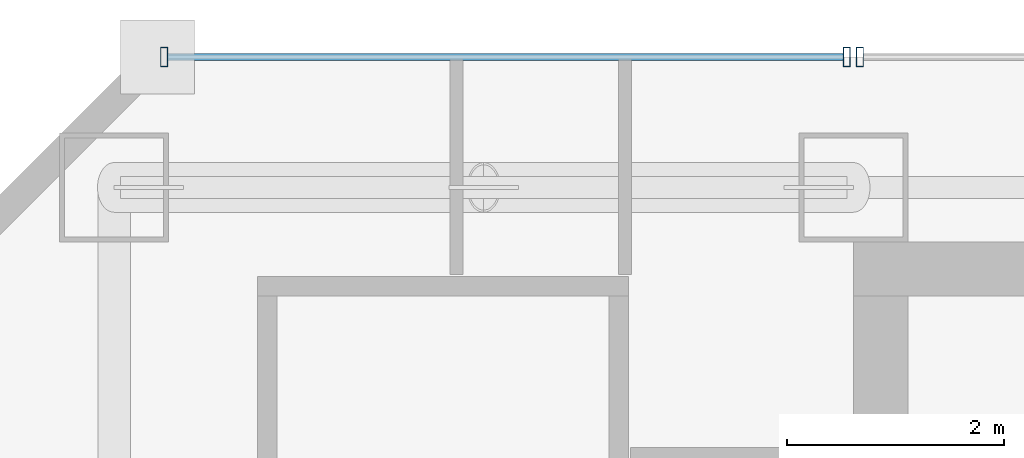
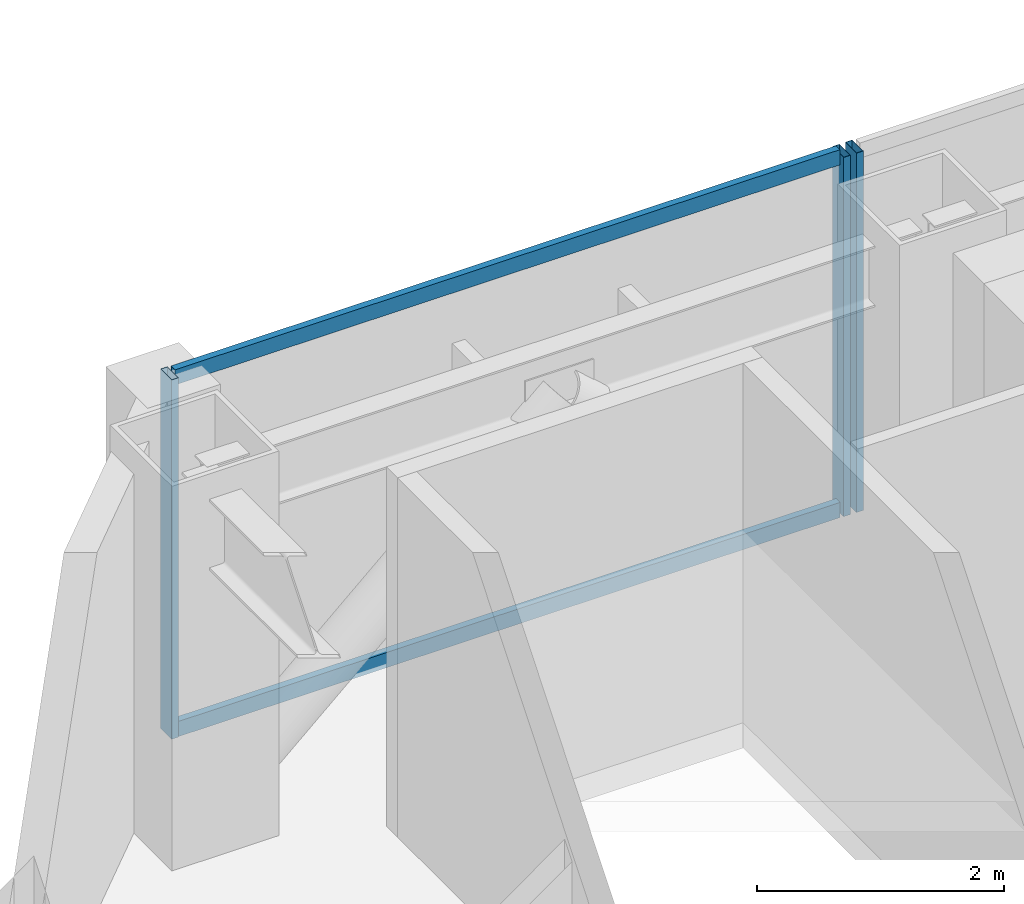
# One storey, part 22 of 37: 5 members, 2 elements without a shape of their own.
"""IFC4 building model written with IfcOpenShell, lengths in metres."""

import ifcopenshell
import ifcopenshell.guid

model = None  # the IFC model being written
_history = None  # IfcOwnerHistory: only IFC2X3 demands one
_inside = {}  # id of a spatial element -> (the spatial element, [elements in it])
_under = {}  # id of a project, library or spatial element -> (it, [spatial elements below it])
_declared = {}  # id of a project -> (the project, [libraries it declares])
_typed = {}  # id of a type object -> (the type object, [elements of that type])
_made_of = {}  # id of a material, layer set ... -> (it, [elements and type objects made of it])


def new_model(schema):
    """Start an empty IFC model of exactly this schema.

    Asked for "IFC4X3", IfcOpenShell would pick the latest addendum, in which some entities
    have other attributes; the version numbers below select the first issue.
    IFC2X3 requires an IfcOwnerHistory on every rooted entity: one is made here for all.
    """
    global model, _history
    if schema == "IFC4X3":
        model = ifcopenshell.file(schema_version=(4, 3, 0, 0))
    else:
        model = ifcopenshell.file(schema=schema)
    _inside.clear()
    _under.clear()
    _declared.clear()
    _typed.clear()
    _made_of.clear()
    _history = None
    if model.schema == "IFC2X3":
        org = make("IfcOrganization", Name="unknown")
        user = make(
            "IfcPersonAndOrganization",
            ThePerson=make("IfcPerson", FamilyName="unknown"),
            TheOrganization=org,
        )
        app = make(
            "IfcApplication",
            ApplicationDeveloper=org,
            Version="unknown",
            ApplicationFullName="unknown",
            ApplicationIdentifier="unknown",
        )
        _history = make(
            "IfcOwnerHistory",
            OwningUser=user,
            OwningApplication=app,
            ChangeAction="ADDED",
            CreationDate=0,
        )
    return model


def make(cls, **values):
    """One entity of the class cls with the attributes given. An attribute that is None is left unset."""
    return model.create_entity(
        cls, **{name: value for name, value in values.items() if value is not None}
    )


def rooted(cls, **values):
    """An entity with a GlobalId (a new one), such as an element, a storey or a relation."""
    return make(cls, GlobalId=ifcopenshell.guid.new(), OwnerHistory=_history, **values)


def si_unit(unit_type, name, prefix=None):
    """IfcSIUnit, for example si_unit("LENGTHUNIT", "METRE", prefix="MILLI")."""
    return make("IfcSIUnit", UnitType=unit_type, Prefix=prefix, Name=name)


def assignment(units):
    """IfcUnitAssignment: the units of a project."""
    return None if units is None else make("IfcUnitAssignment", Units=units)


def point(xyz):
    """IfcCartesianPoint."""
    return None if xyz is None else make("IfcCartesianPoint", Coordinates=xyz)


def direction(xyz):
    """IfcDirection."""
    return None if xyz is None else make("IfcDirection", DirectionRatios=xyz)


def frame(location, z_axis=None, x_axis=None):
    """IfcAxis2Placement3D, a coordinate frame: its origin and axes. An axis left out is left unset."""
    return make(
        "IfcAxis2Placement3D",
        Location=point(location),
        Axis=direction(z_axis),
        RefDirection=direction(x_axis),
    )


def frame_2d(location, x_axis=None):
    """IfcAxis2Placement2D, a coordinate frame in the plane: its origin and x axis."""
    return make(
        "IfcAxis2Placement2D", Location=point(location), RefDirection=direction(x_axis)
    )


def origin():
    """The frame at (0, 0, 0) with its axes left unset."""
    return frame((0.0, 0.0, 0.0))


def origin_2d():
    """The frame at (0, 0) in the plane with its x axis left unset."""
    return frame_2d((0.0, 0.0))


def place(relative_to, where):
    """IfcLocalPlacement: puts the frame where relative to a parent placement (None: the world)."""
    return make(
        "IfcLocalPlacement", PlacementRelTo=relative_to, RelativePlacement=where
    )


def context(
    kind, dimensions, precision=None, world=None, true_north=None, identifier=None
):
    """IfcGeometricRepresentationContext, for example the 3D "Model" context."""
    return make(
        "IfcGeometricRepresentationContext",
        ContextIdentifier=identifier,
        ContextType=kind,
        CoordinateSpaceDimension=dimensions,
        Precision=precision,
        WorldCoordinateSystem=world,
        TrueNorth=true_north,
    )


def subcontext(parent, identifier, kind, view, scale=None):
    """IfcGeometricRepresentationSubContext, for example "Body" below "Model"."""
    return make(
        "IfcGeometricRepresentationSubContext",
        ContextIdentifier=identifier,
        ContextType=kind,
        ParentContext=parent,
        TargetScale=scale,
        TargetView=view,
    )


def project(units=None, contexts=None):
    """IfcProject with its units and contexts."""
    return rooted(
        "IfcProject",
        Name="project",
        RepresentationContexts=contexts,
        UnitsInContext=assignment(units),
    )


def spatial(cls, under=None, at=None, **own):
    """A site, building, storey or space (cls), placed at a placement, below another one or the project."""
    s = rooted(cls, ObjectPlacement=at, **own)
    if under is not None:
        _under.setdefault(under.id(), (under, []))[1].append(s)
    return s


def profile(cls, at=None, kind="AREA", **sizes):
    """A parametric profile (cls). Its sizes go by their IFC names, for example OverallWidth=200.0."""
    return make(cls, ProfileType=kind, Position=at, **sizes)


def hollow_rectangle(**sizes):
    """IfcRectangleHollowProfileDef."""
    return profile("IfcRectangleHollowProfileDef", **sizes)


def extrude(swept, where, along, depth):
    """IfcExtrudedAreaSolid: the profile swept, set in the frame where, extruded along a direction by depth."""
    return make(
        "IfcExtrudedAreaSolid",
        SweptArea=swept,
        Position=where,
        ExtrudedDirection=direction(along),
        Depth=depth,
    )


def shape(context_of_items, identifier, shape_type, items):
    """IfcShapeRepresentation: the items that make up one representation, for example the "Body"."""
    return make(
        "IfcShapeRepresentation",
        ContextOfItems=context_of_items,
        RepresentationIdentifier=identifier,
        RepresentationType=shape_type,
        Items=items,
    )


def material(Name=None, Category=None):
    """IfcMaterial."""
    return make("IfcMaterial", Name=Name, Category=Category)


def material_profile(
    of_material, cross_section, Name=None, Category=None, Priority=None
):
    """IfcMaterialProfile: a cross section and its material."""
    return make(
        "IfcMaterialProfile",
        Name=Name,
        Material=of_material,
        Profile=cross_section,
        Priority=Priority,
        Category=Category,
    )


def profile_set(profiles, Name=None, composite=None):
    """IfcMaterialProfileSet."""
    return make(
        "IfcMaterialProfileSet",
        Name=Name,
        MaterialProfiles=profiles,
        CompositeProfile=composite,
    )


def made_of(thing, what):
    """Note that an element or type object is made of a material, layer set ...; save() writes the relation."""
    if what is not None:
        _made_of.setdefault(what.id(), (what, []))[1].append(thing)
    return thing


def type_object(cls, material=None, **own):
    """A type object (cls), such as IfcWallType, which elements share."""
    return made_of(rooted(cls, **own), material)


def element(
    cls,
    number,
    at=None,
    inside=None,
    cuts=None,
    type_object=None,
    material=None,
    context=None,
    identifier="Body",
    shape_type=None,
    held_by="IfcProductDefinitionShape",
    body=None,
    shapes=None,
    **own,
):
    """One element of the class cls, such as IfcWall. Its Tag is "e" and its number.

    at: its placement. inside: the storey or other place that contains it. cuts: it is an
    opening in that element (IfcRelVoidsElement). A single representation is given by context,
    identifier, shape_type and body (its items); several are given by shapes. held_by: the class
    of the entity that holds the representations. save() writes the other relations.
    """
    e = rooted(cls, Tag="e%d" % number, ObjectPlacement=at, **own)
    if body is not None:
        shapes = [shape(context, identifier, shape_type, body)]
    if shapes is not None:
        e.Representation = make(held_by, Representations=shapes)
    if inside is not None:
        _inside.setdefault(inside.id(), (inside, []))[1].append(e)
    if cuts is not None:
        rooted(
            "IfcRelVoidsElement", RelatingBuildingElement=cuts, RelatedOpeningElement=e
        )
    if type_object is not None:
        _typed.setdefault(type_object.id(), (type_object, []))[1].append(e)
    return made_of(e, material)


def aggregate(whole, parts):
    """IfcRelAggregates: a whole, such as a stair, and the parts it consists of."""
    return rooted("IfcRelAggregates", RelatingObject=whole, RelatedObjects=parts)


def save(model, path):
    """Write the relations noted so far, then the file.

    IfcRelAggregates (storeys below a building ...), IfcRelContainedInSpatialStructure (elements
    in a storey), IfcRelDefinesByType, IfcRelAssociatesMaterial and IfcRelDeclares: one each for
    every whole, place, type object, material and project.
    """
    for whole, parts in _under.values():
        aggregate(whole, parts)
    for where, things in _inside.values():
        rooted(
            "IfcRelContainedInSpatialStructure",
            RelatedElements=things,
            RelatingStructure=where,
        )
    for kind, things in _typed.values():
        rooted("IfcRelDefinesByType", RelatedObjects=things, RelatingType=kind)
    for what, things in _made_of.values():
        rooted("IfcRelAssociatesMaterial", RelatedObjects=things, RelatingMaterial=what)
    for by, libraries in _declared.values():
        rooted("IfcRelDeclares", RelatingContext=by, RelatedDefinitions=libraries)
    model.write(path)


model = new_model("IFC4")

# Units and contexts
model_context = context("Model", 3, precision=1e-05, world=origin(), true_north=direction((0.0, 1.0)))
body_context = subcontext(model_context, "Body", "Model", "MODEL_VIEW")
ifc_project = project(units=[si_unit("LENGTHUNIT", "METRE"), si_unit("AREAUNIT", "SQUARE_METRE"), si_unit("VOLUMEUNIT", "CUBIC_METRE"), si_unit("PLANEANGLEUNIT", "RADIAN"), si_unit("MASSUNIT", "GRAM", prefix="KILO")], contexts=[model_context])

# Site, building, storey
site_placement = place(None, origin())
site = spatial("IfcSite", under=ifc_project, at=site_placement, CompositionType="ELEMENT")
building_placement = place(site_placement, origin())
building = spatial("IfcBuilding", under=site, at=building_placement, Name="Saevonmaru Cultural Tower", CompositionType="ELEMENT")
storey_placement = place(building_placement, frame((0.0, 0.0, 160.0)))
storey = spatial("IfcBuildingStorey", under=building, at=storey_placement, Name="L35", CompositionType="ELEMENT", Elevation=160.0)

# Curtain wall, member
ifc_material = material(Name="Satin Bronze Anodised Aluminium", Category="aluminium")
curtain_wall_type = type_object("IfcCurtainWallType", Name="CW-TYP-A", PredefinedType="NOTDEFINED", material=ifc_material)
curtain_wall_1_placement = place(storey_placement, origin())
curtain_wall_1 = element("IfcCurtainWall", 1, at=curtain_wall_1_placement, inside=storey, type_object=curtain_wall_type, Name="L35 North Spine Unitised Curtain Wall E10B", PredefinedType="NOTDEFINED")
ifc_material_profile_1 = material_profile(ifc_material, hollow_rectangle(XDim=0.06494140625, YDim=0.179931640625, WallThickness=0.00390625, at=origin_2d()), Name="ALU-MULL-180x65x4")
ifc_profile_set_1 = profile_set([ifc_material_profile_1], Name="Satin Bronze Anodised Aluminium")
member_type_1 = type_object("IfcMemberType", Name="ML-CW-180x65", PredefinedType="MULLION", material=ifc_profile_set_1)
member_1_placement = place(storey_placement, frame((13.659912109375, 56.0, 0.0), z_axis=(0.0, 0.0, 1.0), x_axis=(-1.0, 0.0, 0.0)))
member_1 = element("IfcMember", 2, at=member_1_placement, type_object=member_type_1, Name="CW-TW-L35-E10B mullion 4", PredefinedType="MULLION", context=body_context, shape_type="SweptSolid", body=[
    extrude(hollow_rectangle(XDim=0.06494140625, YDim=0.179931640625, WallThickness=0.00390625, at=origin_2d()), origin(), (0.0, 0.0, 1.0), 3.550048828125),
])
aggregate(curtain_wall_1, [member_1])

# Curtain wall, members
curtain_wall_2_placement = place(storey_placement, origin())
curtain_wall_2 = element("IfcCurtainWall", 3, at=curtain_wall_2_placement, inside=storey, type_object=curtain_wall_type, Name="L35 West Braced Bay Spandrel Curtain Wall E10C", PredefinedType="NOTDEFINED")
member_2_placement = place(storey_placement, frame((13.5400390625, 56.0, 0.0), z_axis=(0.0, 0.0, 1.0), x_axis=(-1.0, 0.0, 0.0)))
member_2 = element("IfcMember", 4, at=member_2_placement, type_object=member_type_1, Name="CW-TW-L35-E10C mullion 1", PredefinedType="MULLION", context=body_context, shape_type="SweptSolid", body=[
    extrude(hollow_rectangle(XDim=0.06494140625, YDim=0.179931640625, WallThickness=0.00390625, at=origin_2d()), origin(), (0.0, 0.0, 1.0), 3.550048828125),
])
member_3_placement = place(storey_placement, frame((7.260009765625, 56.0, 0.0), z_axis=(0.0, 0.0, 1.0), x_axis=(-1.0, 0.0, 0.0)))
member_3 = element("IfcMember", 5, at=member_3_placement, type_object=member_type_1, Name="CW-TW-L35-E10C mullion 2", PredefinedType="MULLION", context=body_context, shape_type="SweptSolid", body=[
    extrude(hollow_rectangle(XDim=0.06494140625, YDim=0.179931640625, WallThickness=0.00390625, at=origin_2d()), origin(), (0.0, 0.0, 1.0), 3.550048828125),
])
ifc_material_profile_2 = material_profile(ifc_material, hollow_rectangle(XDim=0.06494140625, YDim=0.14990234375, WallThickness=0.00390625, at=origin_2d()), Name="ALU-TRAN-150x65x4")
ifc_profile_set_2 = profile_set([ifc_material_profile_2], Name="Satin Bronze Anodised Aluminium")
member_type_2 = type_object("IfcMemberType", Name="TR-CW-150x65", PredefinedType="USERDEFINED", material=ifc_profile_set_2)
member_4_placement = place(storey_placement, frame((13.507568359375, 56.0, 0.032470703125), z_axis=(-1.0, 0.0, 0.0), x_axis=(0.0, -1.0, 0.0)))
member_4 = element("IfcMember", 6, at=member_4_placement, type_object=member_type_2, Name="CW-TW-L35-E10C transom 1.1", ObjectType="TRANSOM", PredefinedType="USERDEFINED", context=body_context, shape_type="SweptSolid", body=[
    extrude(hollow_rectangle(XDim=0.06494140625, YDim=0.14990234375, WallThickness=0.00390625, at=origin_2d()), origin(), (0.0, 0.0, 1.0), 6.215087890625),
])
member_5_placement = place(storey_placement, frame((13.507568359375, 56.0, 3.517578125), z_axis=(-1.0, 0.0, 0.0), x_axis=(0.0, -1.0, 0.0)))
member_5 = element("IfcMember", 7, at=member_5_placement, type_object=member_type_2, Name="CW-TW-L35-E10C transom 1.2", ObjectType="TRANSOM", PredefinedType="USERDEFINED", context=body_context, shape_type="SweptSolid", body=[
    extrude(hollow_rectangle(XDim=0.06494140625, YDim=0.14990234375, WallThickness=0.00390625, at=origin_2d()), origin(), (0.0, 0.0, 1.0), 6.215087890625),
])
aggregate(curtain_wall_2, [member_2, member_3, member_4, member_5])

save(model, "model.ifc")
